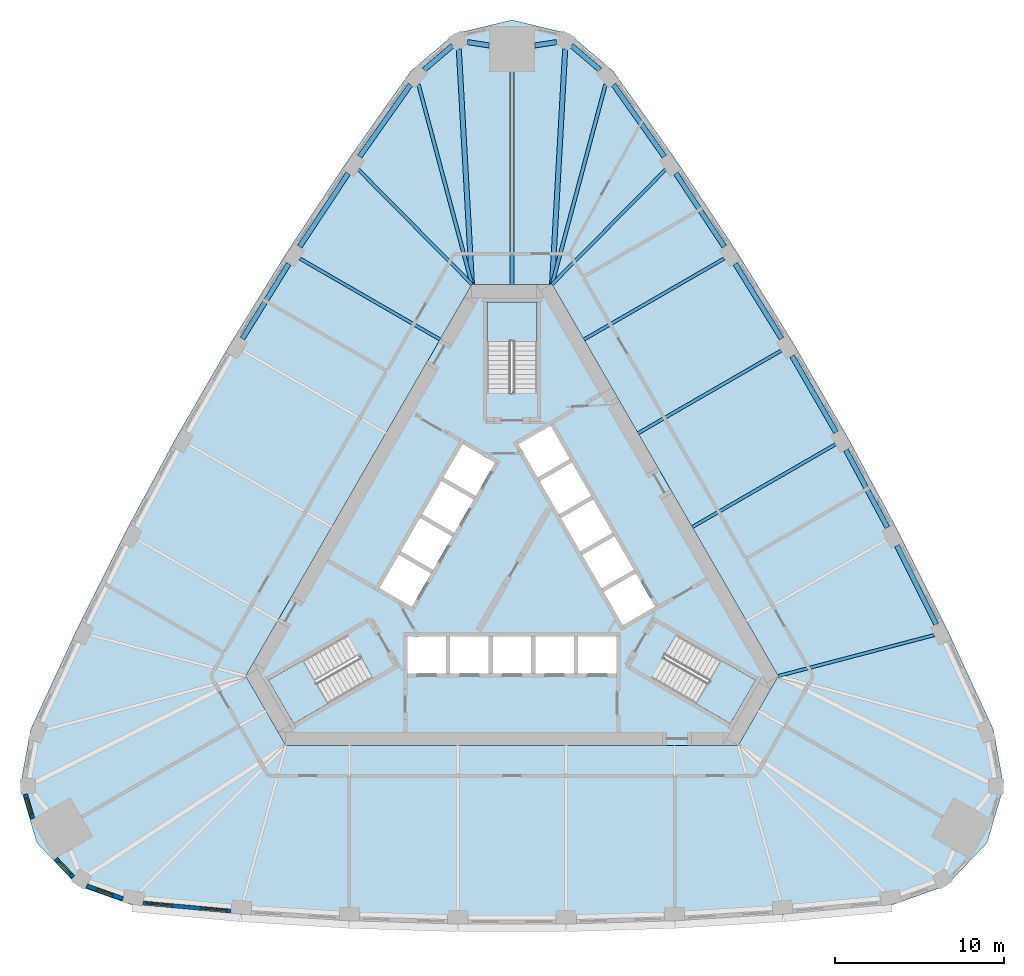
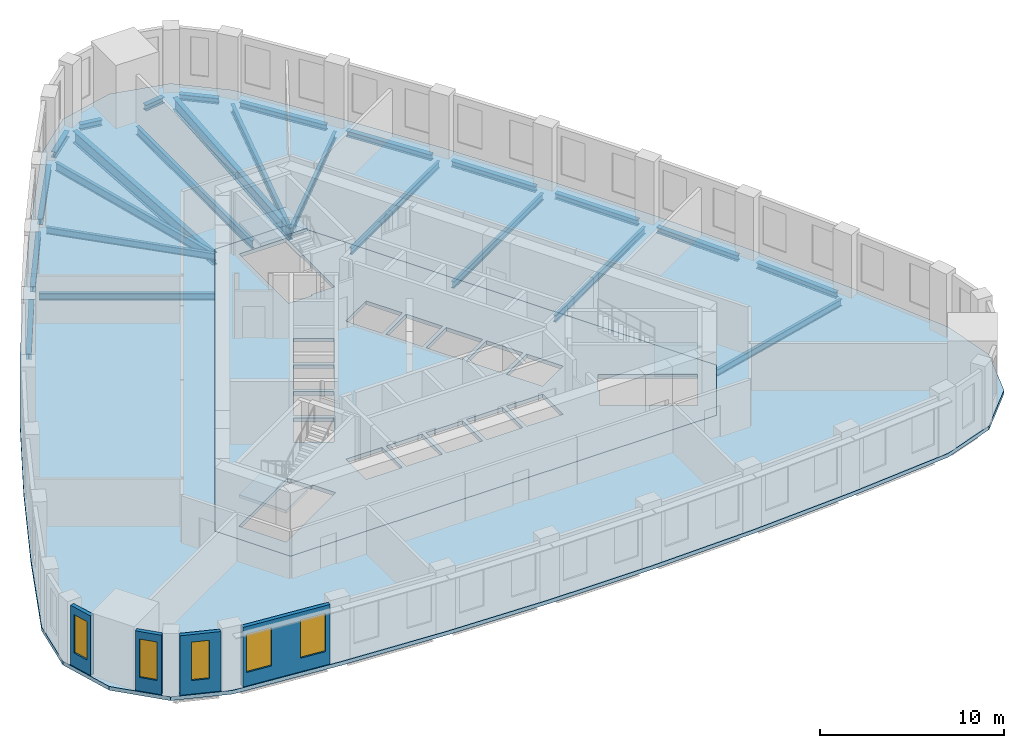
# One storey, part 2 of 9: 25 beams, 5 slabs, 5 windows, 4 walls, 5 openings, 3 elements without a shape of their own.
"""IFC4 building model written with IfcOpenShell, lengths in metres."""

from ifc_helpers import new_model, si_unit, direction, frame, frame_2d, origin, origin_2d, place, context, subcontext, project, spatial, polyline, rectangle, i_section, outline, extrude, material, layer, layer_set, material_profile, profile_set, type_object, element, fill, aggregate, save


model = new_model("IFC4")

# Units and contexts
model_context = context("Model", 3, precision=1e-05, world=origin(), true_north=direction((0.0, 1.0)))
body_context = subcontext(model_context, "Body", "Model", "MODEL_VIEW")
ifc_project = project(units=[si_unit("LENGTHUNIT", "METRE"), si_unit("AREAUNIT", "SQUARE_METRE"), si_unit("VOLUMEUNIT", "CUBIC_METRE"), si_unit("PLANEANGLEUNIT", "RADIAN"), si_unit("MASSUNIT", "GRAM", prefix="KILO")], contexts=[model_context])

# Site, building, storey
site_placement = place(None, origin())
site = spatial("IfcSite", under=ifc_project, at=site_placement, CompositionType="ELEMENT")
building_placement = place(site_placement, origin())
building = spatial("IfcBuilding", under=site, at=building_placement, Name="Mestral Congress Tower", CompositionType="ELEMENT")
storey_placement = place(building_placement, frame((0.0, 0.0, 179.39990234375)))
storey = spatial("IfcBuildingStorey", under=building, at=storey_placement, Name="L42", CompositionType="ELEMENT", Elevation=179.39990234375)

# Beams
ifc_material_1 = material(Name="Steel S355", Category="steel")
ifc_material_profile_1 = material_profile(ifc_material_1, i_section(OverallWidth=0.300048828125, OverallDepth=0.800048828125, WebThickness=0.017578125, FlangeThickness=0.032958984375, FilletRadius=0.030029296875, at=origin_2d()), Name="HEB 800")
ifc_profile_set_1 = profile_set([ifc_material_profile_1], Name="Steel S355")
beam_type_1 = type_object("IfcBeamType", Name="Floor beam HEB 800 S355", PredefinedType="BEAM", material=ifc_profile_set_1)
for number, where, z_axis, x_axis, name in (
    (1, (3.143798828125, 30.703857421875, -0.64990234375), (-0.055769084972, -0.998443693536, 0.0), (0.998443693536, -0.055769084972, 0.0), "BM-L42-RB3-N1"),
    (2, (-3.143798828125, 30.703857421875, -0.64990234375), (0.055769084972, -0.998443693536, 0.0), (0.998443693536, 0.055769084972, 0.0), "BM-L42-RB3-N3"),
):
    element("IfcBeam", number, at=place(storey_placement, frame(where, z_axis=z_axis, x_axis=x_axis)), inside=storey, type_object=beam_type_1, Name=name, PredefinedType="BEAM", context=body_context, shape_type="SweptSolid", body=[
        extrude(i_section(OverallWidth=0.300048828125, OverallDepth=0.800048828125, WebThickness=0.017578125, FlangeThickness=0.032958984375, FilletRadius=0.030029296875, at=origin_2d()), origin(), (0.0, 0.0, 1.0), 13.925537109375),
    ])
ifc_material_profile_2 = material_profile(ifc_material_1, i_section(OverallWidth=0.18994140625, OverallDepth=0.449951171875, WebThickness=0.009521484375, FlangeThickness=0.0146484375, FilletRadius=0.02099609375, at=origin_2d()), Name="IPE 450")
ifc_profile_set_2 = profile_set([ifc_material_profile_2], Name="Steel S355")
beam_type_2 = type_object("IfcBeamType", Name="Floor beam IPE 450 S355", PredefinedType="BEAM", material=ifc_profile_set_2)
beam_1_placement = place(storey_placement, frame((24.938232421875, -3.93505859375, -0.474853515625), z_axis=(-0.967265999603, -0.253764627187, 0.0), x_axis=(0.253764627187, -0.967265999603, 0.0)))
element("IfcBeam", 3, at=beam_1_placement, inside=storey, type_object=beam_type_2, Name="BM-L42-RB3-E01", PredefinedType="BEAM", context=body_context, shape_type="SweptSolid", body=[
    extrude(i_section(OverallWidth=0.18994140625, OverallDepth=0.449951171875, WebThickness=0.009521484375, FlangeThickness=0.0146484375, FilletRadius=0.02099609375, at=origin_2d()), origin(), (0.0, 0.0, 1.0), 9.516845703125),
])
beam_2_placement = place(storey_placement, frame((19.100830078125, 7.332763671875, -0.474853515625), z_axis=(-0.866036015824, -0.499981618958, 0.0), x_axis=(0.499981618958, -0.866036015824, 0.0)))
element("IfcBeam", 4, at=beam_2_placement, inside=storey, type_object=beam_type_2, Name="BM-L42-RB3-E03", PredefinedType="BEAM", context=body_context, shape_type="SweptSolid", body=[
    extrude(i_section(OverallWidth=0.18994140625, OverallDepth=0.449951171875, WebThickness=0.009521484375, FlangeThickness=0.0146484375, FilletRadius=0.02099609375, at=origin_2d()), origin(), (0.0, 0.0, 1.0), 9.758056640625),
])
beam_3_placement = place(storey_placement, frame((15.90087890625, 12.875244140625, -0.474853515625), z_axis=(-0.866025182435, -0.500000383388, 0.0), x_axis=(0.500000383388, -0.866025182435, 0.0)))
element("IfcBeam", 5, at=beam_3_placement, inside=storey, type_object=beam_type_2, Name="BM-L42-RB3-E04", PredefinedType="BEAM", context=body_context, shape_type="SweptSolid", body=[
    extrude(i_section(OverallWidth=0.18994140625, OverallDepth=0.449951171875, WebThickness=0.009521484375, FlangeThickness=0.0146484375, FilletRadius=0.02099609375, at=origin_2d()), origin(), (0.0, 0.0, 1.0), 9.75830078125),
])
beam_4_placement = place(storey_placement, frame((12.532958984375, 18.317138671875, -0.474853515625), z_axis=(-0.866022320763, -0.500005339912, 0.0), x_axis=(0.500005339912, -0.866022320763, 0.0)))
element("IfcBeam", 6, at=beam_4_placement, inside=storey, type_object=beam_type_2, Name="BM-L42-RB3-E05", PredefinedType="BEAM", context=body_context, shape_type="SweptSolid", body=[
    extrude(i_section(OverallWidth=0.18994140625, OverallDepth=0.449951171875, WebThickness=0.009521484375, FlangeThickness=0.0146484375, FilletRadius=0.02099609375, at=origin_2d()), origin(), (0.0, 0.0, 1.0), 9.5625),
])
for number, where, z_axis, x_axis, name in (
    (7, (9.06103515625, 23.564697265625, -0.474853515625), (-0.703377189025, -0.710816804781, 0.0), (0.710816804781, -0.703377189025, 0.0), "BM-L42-RB3-E06"),
    (8, (-9.06103515625, 23.564697265625, -0.474853515625), (0.703377189025, -0.710816804781, 0.0), (0.710816804781, 0.703377189025, 0.0), "BM-L42-RB3-W01"),
):
    element("IfcBeam", number, at=place(storey_placement, frame(where, z_axis=z_axis, x_axis=x_axis)), inside=storey, type_object=beam_type_2, Name=name, PredefinedType="BEAM", context=body_context, shape_type="SweptSolid", body=[
        extrude(i_section(OverallWidth=0.18994140625, OverallDepth=0.449951171875, WebThickness=0.009521484375, FlangeThickness=0.0146484375, FilletRadius=0.02099609375, at=origin_2d()), origin(), (0.0, 0.0, 1.0), 9.516845703125),
    ])
beam_5_placement = place(storey_placement, frame((-12.532958984375, 18.317138671875, -0.474853515625), z_axis=(0.866022320763, -0.500005339912, 0.0), x_axis=(0.500005339912, 0.866022320763, 0.0)))
element("IfcBeam", 9, at=beam_5_placement, inside=storey, type_object=beam_type_2, Name="BM-L42-RB3-W02", PredefinedType="BEAM", context=body_context, shape_type="SweptSolid", body=[
    extrude(i_section(OverallWidth=0.18994140625, OverallDepth=0.449951171875, WebThickness=0.009521484375, FlangeThickness=0.0146484375, FilletRadius=0.02099609375, at=origin_2d()), origin(), (0.0, 0.0, 1.0), 9.5625),
])
ifc_material_profile_3 = material_profile(ifc_material_1, i_section(OverallWidth=0.2099609375, OverallDepth=0.550048828125, WebThickness=0.010986328125, FlangeThickness=0.01708984375, FilletRadius=0.02392578125, at=origin_2d()), Name="IPE 550")
ifc_profile_set_3 = profile_set([ifc_material_profile_3], Name="Steel S355")
beam_type_3 = type_object("IfcBeamType", Name="Floor beam IPE 550 S355", PredefinedType="BEAM", material=ifc_profile_set_3)
beam_6_placement = place(storey_placement, frame((5.5283203125, 28.609375, -0.52490234375), z_axis=(-0.258577363905, -0.965990552167, 0.0), x_axis=(0.965990552167, -0.258577363905, 0.0)))
element("IfcBeam", 10, at=beam_6_placement, inside=storey, type_object=beam_type_3, Name="BM-L42-RB3-E07", PredefinedType="BEAM", context=body_context, shape_type="SweptSolid", body=[
    extrude(i_section(OverallWidth=0.2099609375, OverallDepth=0.550048828125, WebThickness=0.010986328125, FlangeThickness=0.01708984375, FilletRadius=0.02392578125, at=origin_2d()), origin(), (0.0, 0.0, 1.0), 12.22509765625),
])
beam_7_placement = place(storey_placement, frame((0.0, 29.354248046875, -0.52490234375), z_axis=(0.0, -1.0, 0.0), x_axis=(1.0, 0.0, 0.0)))
element("IfcBeam", 11, at=beam_7_placement, inside=storey, type_object=beam_type_3, Name="BM-L42-RB3-N", PredefinedType="BEAM", context=body_context, shape_type="SweptSolid", body=[
    extrude(i_section(OverallWidth=0.2099609375, OverallDepth=0.550048828125, WebThickness=0.010986328125, FlangeThickness=0.01708984375, FilletRadius=0.02392578125, at=origin_2d()), origin(), (0.0, 0.0, 1.0), 12.55419921875),
])
beam_8_placement = place(storey_placement, frame((-5.5283203125, 28.609375, -0.52490234375), z_axis=(0.258577363905, -0.965990552167, 0.0), x_axis=(0.965990552167, 0.258577363905, 0.0)))
element("IfcBeam", 12, at=beam_8_placement, inside=storey, type_object=beam_type_3, Name="BM-L42-RB3-W00", PredefinedType="BEAM", context=body_context, shape_type="SweptSolid", body=[
    extrude(i_section(OverallWidth=0.2099609375, OverallDepth=0.550048828125, WebThickness=0.010986328125, FlangeThickness=0.01708984375, FilletRadius=0.02392578125, at=origin_2d()), origin(), (0.0, 0.0, 1.0), 12.22509765625),
])
ifc_material_profile_4 = material_profile(ifc_material_1, i_section(OverallWidth=0.300048828125, OverallDepth=0.389892578125, WebThickness=0.010986328125, FlangeThickness=0.01904296875, FilletRadius=0.027099609375, at=origin_2d()), Name="HEA 400")
ifc_profile_set_4 = profile_set([ifc_material_profile_4], Name="Steel S355")
beam_type_4 = type_object("IfcBeamType", Name="Spandrel beam HEA 400 S355", PredefinedType="BEAM", material=ifc_profile_set_4)
beam_9_placement = place(storey_placement, frame((25.064453125, -3.294677734375, -0.44482421875), z_axis=(-0.446255467462, 0.894905613884, 0.0), x_axis=(-0.894905613884, -0.446255467462, 0.0)))
element("IfcBeam", 13, at=beam_9_placement, inside=storey, type_object=beam_type_4, Name="SP-L42-SB3-E01", PredefinedType="BEAM", context=body_context, shape_type="SweptSolid", body=[
    extrude(i_section(OverallWidth=0.300048828125, OverallDepth=0.389892578125, WebThickness=0.010986328125, FlangeThickness=0.01904296875, FilletRadius=0.027099609375, at=origin_2d()), origin(), (0.0, 0.0, 1.0), 5.199462890625),
])
for number, where, z_axis, x_axis, name in (
    (14, (22.1923828125, 2.424072265625, -0.44482421875), (-0.473332458078, 0.880883865291, 0.0), (-0.880883865291, -0.473332458078, 0.0), "SP-L42-SB3-E02"),
    (15, (19.147216796875, 8.052490234375, -0.44482421875), (-0.499992051641, 0.866029992723, 0.0), (-0.866029992723, -0.499992051641, 0.0), "SP-L42-SB3-E03"),
):
    element("IfcBeam", number, at=place(storey_placement, frame(where, z_axis=z_axis, x_axis=x_axis)), inside=storey, type_object=beam_type_4, Name=name, PredefinedType="BEAM", context=body_context, shape_type="SweptSolid", body=[
        extrude(i_section(OverallWidth=0.300048828125, OverallDepth=0.389892578125, WebThickness=0.010986328125, FlangeThickness=0.01904296875, FilletRadius=0.027099609375, at=origin_2d()), origin(), (0.0, 0.0, 1.0), 5.19970703125),
    ])
for number, where, z_axis, x_axis, name in (
    (16, (15.931640625, 13.585693359375, -0.44482421875), (-0.526220441006, 0.8503481919, 0.0), (-0.8503481919, -0.526220441006, 0.0), "SP-L42-SB3-E04"),
    (17, (12.548583984375, 19.017822265625, -0.44482421875), (-0.551901475275, 0.833909324561, 0.0), (-0.833909324561, -0.551901475275, 0.0), "SP-L42-SB3-E05"),
):
    element("IfcBeam", number, at=place(storey_placement, frame(where, z_axis=z_axis, x_axis=x_axis)), inside=storey, type_object=beam_type_4, Name=name, PredefinedType="BEAM", context=body_context, shape_type="SweptSolid", body=[
        extrude(i_section(OverallWidth=0.300048828125, OverallDepth=0.389892578125, WebThickness=0.010986328125, FlangeThickness=0.01904296875, FilletRadius=0.027099609375, at=origin_2d()), origin(), (0.0, 0.0, 1.0), 5.199462890625),
    ])
beam_10_placement = place(storey_placement, frame((9.00146484375, 24.34423828125, -0.44482421875), z_axis=(-0.577107284947, 0.816668342512, 0.0), x_axis=(-0.816668342512, -0.577107284947, 0.0)))
element("IfcBeam", 18, at=beam_10_placement, inside=storey, type_object=beam_type_4, Name="SP-L42-SB3-E06", PredefinedType="BEAM", context=body_context, shape_type="SweptSolid", body=[
    extrude(i_section(OverallWidth=0.300048828125, OverallDepth=0.389892578125, WebThickness=0.010986328125, FlangeThickness=0.01904296875, FilletRadius=0.027099609375, at=origin_2d()), origin(), (0.0, 0.0, 1.0), 5.197509765625),
])
beam_11_placement = place(storey_placement, frame((5.191162109375, 29.47509765625, -0.44482421875), z_axis=(-0.761471479234, 0.648198415852, 0.0), x_axis=(-0.648198415852, -0.761471479234, 0.0)))
element("IfcBeam", 19, at=beam_11_placement, inside=storey, type_object=beam_type_4, Name="SP-L42-SB3-E07", PredefinedType="BEAM", context=body_context, shape_type="SweptSolid", body=[
    extrude(i_section(OverallWidth=0.300048828125, OverallDepth=0.389892578125, WebThickness=0.010986328125, FlangeThickness=0.01904296875, FilletRadius=0.027099609375, at=origin_2d()), origin(), (0.0, 0.0, 1.0), 2.189697265625),
])
for number, where, z_axis, x_axis, name in (
    (20, (2.62353515625, 31.10986328125, -0.44482421875), (-0.988242111203, -0.152897121116, 0.0), (0.152897121116, -0.988242111203, 0.0), "SP-L42-SB3-N1"),
    (21, (-1.35009765625, 30.912841796875, -0.44482421875), (-0.988242111203, 0.152897121116, 0.0), (-0.152897121116, -0.988242111203, 0.0), "SP-L42-SB3-N"),
):
    element("IfcBeam", number, at=place(storey_placement, frame(where, z_axis=z_axis, x_axis=x_axis)), inside=storey, type_object=beam_type_4, Name=name, PredefinedType="BEAM", context=body_context, shape_type="SweptSolid", body=[
        extrude(i_section(OverallWidth=0.300048828125, OverallDepth=0.389892578125, WebThickness=0.010986328125, FlangeThickness=0.01904296875, FilletRadius=0.027099609375, at=origin_2d()), origin(), (0.0, 0.0, 1.0), 1.28857421875),
    ])
beam_12_placement = place(storey_placement, frame((-3.523681640625, 30.89453125, -0.44482421875), z_axis=(-0.761471479234, -0.648198415852, 0.0), x_axis=(0.648198415852, -0.761471479234, 0.0)))
element("IfcBeam", 22, at=beam_12_placement, inside=storey, type_object=beam_type_4, Name="SP-L42-SB3-N3", PredefinedType="BEAM", context=body_context, shape_type="SweptSolid", body=[
    extrude(i_section(OverallWidth=0.300048828125, OverallDepth=0.389892578125, WebThickness=0.010986328125, FlangeThickness=0.01904296875, FilletRadius=0.027099609375, at=origin_2d()), origin(), (0.0, 0.0, 1.0), 2.189697265625),
])
beam_13_placement = place(storey_placement, frame((-6.001953125, 28.5888671875, -0.44482421875), z_axis=(-0.577107284947, -0.816668342512, 0.0), x_axis=(0.816668342512, -0.577107284947, 0.0)))
element("IfcBeam", 23, at=beam_13_placement, inside=storey, type_object=beam_type_4, Name="SP-L42-SB3-W00", PredefinedType="BEAM", context=body_context, shape_type="SweptSolid", body=[
    extrude(i_section(OverallWidth=0.300048828125, OverallDepth=0.389892578125, WebThickness=0.010986328125, FlangeThickness=0.01904296875, FilletRadius=0.027099609375, at=origin_2d()), origin(), (0.0, 0.0, 1.0), 5.197509765625),
])
for number, where, z_axis, x_axis, name in (
    (24, (-9.678955078125, 23.353759765625, -0.44482421875), (-0.551901475275, -0.833909324561, 0.0), (0.833909324561, -0.551901475275, 0.0), "SP-L42-SB3-W01"),
    (25, (-13.195556640625, 18.007080078125, -0.44482421875), (-0.526220441006, -0.8503481919, 0.0), (0.8503481919, -0.526220441006, 0.0), "SP-L42-SB3-W02"),
):
    element("IfcBeam", number, at=place(storey_placement, frame(where, z_axis=z_axis, x_axis=x_axis)), inside=storey, type_object=beam_type_4, Name=name, PredefinedType="BEAM", context=body_context, shape_type="SweptSolid", body=[
        extrude(i_section(OverallWidth=0.300048828125, OverallDepth=0.389892578125, WebThickness=0.010986328125, FlangeThickness=0.01904296875, FilletRadius=0.027099609375, at=origin_2d()), origin(), (0.0, 0.0, 1.0), 5.199462890625),
    ])

# Slabs
ifc_material_2 = material(Name="Concrete C35/45", Category="concrete")
ifc_layer_1 = layer(ifc_material_2, 0.25)
ifc_layer_set_1 = layer_set([ifc_layer_1], Name="Concrete C35/45")
slab_type_1 = type_object("IfcSlabType", Name="Composite floor slab 250", PredefinedType="FLOOR", material=ifc_layer_set_1)
placement_1 = place(storey_placement, frame((0.0, 0.0, -0.25)))
element("IfcSlab", 26, at=placement_1, inside=storey, type_object=slab_type_1, Name="SL-L42", PredefinedType="FLOOR", context=body_context, shape_type="SweptSolid", body=[
    extrude(outline(polyline([(-22.455078125, -19.880126953125), (-25.68212890625, -18.731689453125), (-28.073974609375, -16.20849609375), (-29.06298828125, -12.87548828125), (-28.444091796875, -9.506591796875), (-25.73779296875, -3.63720703125), (-22.8759765625, 2.1025390625), (-19.84033203125, 7.751953125), (-16.633544921875, 13.30615234375), (-13.2587890625, 18.760009765625), (-9.71923828125, 24.1083984375), (-5.9892578125, 29.38671875), (-3.381103515625, 31.607177734375), (0.0, 32.4169921875), (3.381103515625, 31.607177734375), (5.9892578125, 29.38671875), (9.71923828125, 24.1083984375), (13.2587890625, 18.760009765625), (16.633544921875, 13.30615234375), (19.84033203125, 7.751953125), (22.8759765625, 2.1025390625), (25.73779296875, -3.63720703125), (28.444091796875, -9.506591796875), (29.06298828125, -12.87548828125), (28.073974609375, -16.20849609375), (25.68212890625, -18.731689453125), (22.455078125, -19.880126953125), (16.018798828125, -20.47119140625), (9.6171875, -20.862548828125), (3.206787109375, -21.05810546875), (-3.206787109375, -21.05810546875), (-9.6171875, -20.862548828125), (-16.018798828125, -20.47119140625), (-22.455078125, -19.880126953125)]), holes=[polyline([(-2.3671875, 16.800048828125), (-15.73291015625, -6.35009765625), (-13.36572265625, -10.449951171875), (13.36572265625, -10.449951171875), (15.73291015625, -6.35009765625), (2.3671875, 16.800048828125), (-2.3671875, 16.800048828125)])]), origin(), (0.0, 0.0, 1.0), 0.25),
])
ifc_material_3 = material(Name="Concrete C60/75", Category="concrete")
ifc_layer_2 = layer(ifc_material_3, 0.25)
ifc_layer_set_2 = layer_set([ifc_layer_2], Name="Concrete C60/75")
slab_type_2 = type_object("IfcSlabType", Name="Core floor slab RC 250", PredefinedType="FLOOR", material=ifc_layer_set_2)
element("IfcSlab", 27, at=placement_1, inside=storey, type_object=slab_type_2, Name="L42 core floor", PredefinedType="FLOOR", context=body_context, shape_type="SweptSolid", body=[
    extrude(outline(polyline([(13.36572265625, -10.449951171875), (-13.36572265625, -10.449951171875), (-15.73291015625, -6.35009765625), (-2.3671875, 16.800048828125), (2.3671875, 16.800048828125), (15.73291015625, -6.35009765625), (13.36572265625, -10.449951171875)]), holes=[polyline([(-9.8046875, -3.95751953125), (-14.37744140625, -6.59765625), (-12.90234375, -9.15234375), (-8.234619140625, -6.45751953125), (-8.971923828125, -5.179931640625), (-9.0673828125, -5.235107421875), (-9.8046875, -3.95751953125)]), polyline([(-3.905029296875, -4.0), (-6.175048828125, -4.0), (-6.175048828125, -6.199951171875), (-3.905029296875, -6.199951171875), (-3.905029296875, -4.0)]), polyline([(-1.385009765625, -4.0), (-3.655029296875, -4.0), (-3.655029296875, -6.199951171875), (-1.385009765625, -6.199951171875), (-1.385009765625, -4.0)]), polyline([(1.135009765625, -4.0), (-1.135009765625, -4.0), (-1.135009765625, -6.199951171875), (1.135009765625, -6.199951171875), (1.135009765625, -4.0)]), polyline([(-5.921630859375, -2.256591796875), (-4.78662109375, -0.29052734375), (-6.69189453125, 0.809326171875), (-7.826904296875, -1.156494140625), (-5.921630859375, -2.256591796875)]), polyline([(-4.66162109375, -0.07421875), (-3.526611328125, 1.8916015625), (-5.431884765625, 2.99169921875), (-6.56689453125, 1.02587890625), (-4.66162109375, -0.07421875)]), polyline([(-3.401611328125, 2.1083984375), (-2.2666015625, 4.07421875), (-4.171875, 5.174072265625), (-5.306884765625, 3.208251953125), (-3.401611328125, 2.1083984375)]), polyline([(-2.1416015625, 4.29052734375), (-1.006591796875, 6.256591796875), (-2.911865234375, 7.3564453125), (-4.046875, 5.390625), (-2.1416015625, 4.29052734375)]), polyline([(1.47509765625, 10.469970703125), (1.47509765625, 15.75), (-1.47509765625, 15.75), (-1.47509765625, 10.360107421875), (0.0, 10.360107421875), (0.0, 10.469970703125), (1.47509765625, 10.469970703125)]), polyline([(8.329833984375, -6.512451171875), (12.90234375, -9.15234375), (14.37744140625, -6.59765625), (9.70947265625, -3.902587890625), (8.971923828125, -5.179931640625), (9.0673828125, -5.235107421875), (8.329833984375, -6.512451171875)]), polyline([(3.655029296875, -4.0), (1.385009765625, -4.0), (1.385009765625, -6.199951171875), (3.655029296875, -6.199951171875), (3.655029296875, -4.0)]), polyline([(6.175048828125, -4.0), (3.905029296875, -4.0), (3.905029296875, -6.199951171875), (6.175048828125, -6.199951171875), (6.175048828125, -4.0)]), polyline([(5.41650390625, -1.3818359375), (6.551513671875, -3.34765625), (8.456787109375, -2.247802734375), (7.322021484375, -0.28173828125), (5.41650390625, -1.3818359375)]), polyline([(4.156494140625, 0.800537109375), (5.29150390625, -1.165283203125), (7.197021484375, -0.065185546875), (6.06201171875, 1.900634765625), (4.156494140625, 0.800537109375)]), polyline([(2.896484375, 2.98291015625), (4.031494140625, 1.01708984375), (5.93701171875, 2.1171875), (4.802001953125, 4.0830078125), (2.896484375, 2.98291015625)]), polyline([(3.5419921875, 6.265380859375), (1.63671875, 5.165283203125), (2.771484375, 3.199462890625), (4.677001953125, 4.29931640625), (3.5419921875, 6.265380859375)]), polyline([(2.281982421875, 8.44775390625), (0.376708984375, 7.34765625), (1.51171875, 5.3818359375), (3.4169921875, 6.481689453125), (2.281982421875, 8.44775390625)])]), origin(), (0.0, 0.0, 1.0), 0.25),
])

# Stair, slab
stair_type = type_object("IfcStairType", Name="Exit stair 1400", PredefinedType="HALF_TURN_STAIR", material=ifc_material_3)
placement_2 = place(storey_placement, origin())
stair_1 = element("IfcStair", 28, at=placement_2, inside=storey, type_object=stair_type, Name="L42 ST1", PredefinedType="HALF_TURN_STAIR")
ifc_layer_3 = layer(ifc_material_3, 0.199951171875)
ifc_layer_set_3 = layer_set([ifc_layer_3], Name="Concrete C60/75")
slab_type_3 = type_object("IfcSlabType", Name="Exit stair landing 200", PredefinedType="LANDING", material=ifc_layer_set_3)
placement_3 = place(storey_placement, frame((0.0, 0.0, 1.900146484375)))
slab_3 = element("IfcSlab", 29, at=placement_3, type_object=slab_type_3, Name="ST1 landing 1", PredefinedType="LANDING", context=body_context, shape_type="SweptSolid", body=[
    extrude(outline(polyline([(10.879638671875, -7.99609375), (12.364501953125, -5.424072265625), (14.39111328125, -6.593994140625), (12.906005859375, -9.166015625), (10.879638671875, -7.99609375)])), origin(), (0.0, 0.0, 1.0), 0.199951171875),
])
aggregate(stair_1, [slab_3])

stair_2 = element("IfcStair", 30, at=placement_2, inside=storey, type_object=stair_type, Name="L42 ST2", PredefinedType="HALF_TURN_STAIR")
slab_4 = element("IfcSlab", 31, at=placement_3, type_object=slab_type_3, Name="ST2 landing 1", PredefinedType="LANDING", context=body_context, shape_type="SweptSolid", body=[
    extrude(outline(polyline([(1.485107421875, 13.419921875), (-1.485107421875, 13.419921875), (-1.485107421875, 15.760009765625), (1.485107421875, 15.760009765625), (1.485107421875, 13.419921875)])), origin(), (0.0, 0.0, 1.0), 0.199951171875),
])
aggregate(stair_2, [slab_4])

stair_3 = element("IfcStair", 32, at=placement_2, inside=storey, type_object=stair_type, Name="L42 ST3", PredefinedType="HALF_TURN_STAIR")
slab_5 = element("IfcSlab", 33, at=placement_3, type_object=slab_type_3, Name="ST3 landing 1", PredefinedType="LANDING", context=body_context, shape_type="SweptSolid", body=[
    extrude(outline(polyline([(-12.364501953125, -5.424072265625), (-10.879638671875, -7.99609375), (-12.906005859375, -9.166015625), (-14.39111328125, -6.593994140625), (-12.364501953125, -5.424072265625)])), origin(), (0.0, 0.0, 1.0), 0.199951171875),
])
aggregate(stair_3, [slab_5])

# Wall, openings, windows
ifc_material_4 = material(Name="Precast concrete C40/50 with limestone facing", Category="masonry")
ifc_layer_4 = layer(ifc_material_4, 0.239990234375)
ifc_layer_set_4 = layer_set([ifc_layer_4], Name="Precast concrete C40/50 with limestone facing")
wall_type = type_object("IfcWallType", Name="Facade stone wall 240", PredefinedType="SOLIDWALL", material=ifc_layer_set_4)
wall_1_placement = place(storey_placement, frame((-21.797119140625, -19.769775390625, 0.0), z_axis=(0.0, 0.0, 1.0), x_axis=(0.995808712151, -0.091460422067, 0.0)))
wall_1 = element("IfcWall", 34, at=wall_1_placement, inside=storey, type_object=wall_type, Name="Facade wall F0-00", PredefinedType="SOLIDWALL", context=body_context, shape_type="SweptSolid", body=[
    extrude(rectangle(XDim=5.213134765625, YDim=0.239990234375, at=frame_2d((2.6064453125, 0.0))), origin(), (0.0, 0.0, 1.0), 3.9501953125),
])
opening_1_placement = place(wall_1_placement, frame((0.220947265625, 0.0, 0.89990234375)))
opening_1 = element("IfcOpeningElement", 35, at=opening_1_placement, cuts=wall_1, Name="Opening W4", PredefinedType="OPENING", context=body_context, shape_type="SweptSolid", body=[
    extrude(rectangle(XDim=1.5, YDim=2.550048828125, at=frame_2d((0.75, 1.27490234375))), frame((0.0, 0.1298828125, 0.0), z_axis=(0.0, -1.0, 0.0), x_axis=(1.0, 0.0, 0.0)), (0.0, 0.0, 1.0), 0.260009765625),
])
opening_2_placement = place(wall_1_placement, frame((3.452392578125, 0.0, 0.89990234375)))
opening_2 = element("IfcOpeningElement", 36, at=opening_2_placement, cuts=wall_1, Name="Opening W4", PredefinedType="OPENING", context=body_context, shape_type="SweptSolid", body=[
    extrude(rectangle(XDim=1.5, YDim=2.550048828125, at=frame_2d((0.75, 1.27490234375))), frame((0.0, 0.1298828125, 0.0), z_axis=(0.0, -1.0, 0.0), x_axis=(1.0, 0.0, 0.0)), (0.0, 0.0, 1.0), 0.260009765625),
])
ifc_material_5 = material(Name="Clear low-emissivity double glazing", Category="glass")
window_type_1 = type_object("IfcWindowType", Name="Facade punched window 1500 x 2550 sill 900", PartitioningType="SINGLE_PANEL", PredefinedType="WINDOW", material=ifc_material_5)
window_1_placement = place(opening_1_placement, origin())
window_1 = element("IfcWindow", 37, at=window_1_placement, inside=storey, type_object=window_type_1, Name="Window F0-00a", OverallHeight=2.550048828125, OverallWidth=1.5, PartitioningType="SINGLE_PANEL", PredefinedType="WINDOW", context=body_context, shape_type="SweptSolid", body=[
    extrude(rectangle(XDim=1.5, YDim=2.550048828125, at=frame_2d((0.75, 1.27490234375))), frame((0.0, 0.0400390625, 0.0), z_axis=(0.0, -1.0, 0.0), x_axis=(1.0, 0.0, 0.0)), (0.0, 0.0, 1.0), 0.06005859375),
])
fill(opening_1, window_1)
window_2_placement = place(opening_2_placement, origin())
window_2 = element("IfcWindow", 38, at=window_2_placement, inside=storey, type_object=window_type_1, Name="Window F0-00b", OverallHeight=2.550048828125, OverallWidth=1.5, PartitioningType="SINGLE_PANEL", PredefinedType="WINDOW", context=body_context, shape_type="SweptSolid", body=[
    extrude(rectangle(XDim=1.5, YDim=2.550048828125, at=frame_2d((0.75, 1.27490234375))), frame((0.0, 0.0400390625, 0.0), z_axis=(0.0, -1.0, 0.0), x_axis=(1.0, 0.0, 0.0)), (0.0, 0.0, 1.0), 0.06005859375),
])
fill(opening_2, window_2)

# Wall, opening, window
wall_2_placement = place(storey_placement, frame((-28.747802734375, -13.340087890625, 0.0), z_axis=(0.0, 0.0, 1.0), x_axis=(0.284413721403, -0.958701640281, 0.0)))
wall_2 = element("IfcWall", 39, at=wall_2_placement, inside=storey, type_object=wall_type, Name="Facade wall K2-1", PredefinedType="SOLIDWALL", context=body_context, shape_type="SweptSolid", body=[
    extrude(rectangle(XDim=1.481689453125, YDim=0.239990234375, at=frame_2d((0.74072265625, 0.0))), origin(), (0.0, 0.0, 1.0), 3.9501953125),
])
opening_3_placement = place(wall_2_placement, frame((0.24072265625, 0.0, 0.89990234375)))
opening_3 = element("IfcOpeningElement", 40, at=opening_3_placement, cuts=wall_2, Name="Opening W5", PredefinedType="OPENING", context=body_context, shape_type="SweptSolid", body=[
    extrude(rectangle(XDim=1.0, YDim=2.550048828125, at=frame_2d((0.5, 1.27490234375))), frame((0.0, 0.1298828125, 0.0), z_axis=(0.0, -1.0, 0.0), x_axis=(1.0, 0.0, 0.0)), (0.0, 0.0, 1.0), 0.260009765625),
])
window_type_2 = type_object("IfcWindowType", Name="Facade punched window 1000 x 2550 sill 900", PartitioningType="SINGLE_PANEL", PredefinedType="WINDOW", material=ifc_material_5)
window_3_placement = place(opening_3_placement, origin())
window_3 = element("IfcWindow", 41, at=window_3_placement, inside=storey, type_object=window_type_2, Name="Window K2-1", OverallHeight=2.550048828125, OverallWidth=1.0, PartitioningType="SINGLE_PANEL", PredefinedType="WINDOW", context=body_context, shape_type="SweptSolid", body=[
    extrude(rectangle(XDim=1.0, YDim=2.550048828125, at=frame_2d((0.5, 1.27490234375))), frame((0.0, 0.0400390625, 0.0), z_axis=(0.0, -1.0, 0.0), x_axis=(1.0, 0.0, 0.0)), (0.0, 0.0, 1.0), 0.06005859375),
])
fill(opening_3, window_3)

wall_3_placement = place(storey_placement, frame((-26.946044921875, -17.151123046875, 0.0), z_axis=(0.0, 0.0, 1.0), x_axis=(0.687986858937, -0.725723144133, 0.0)))
wall_3 = element("IfcWall", 42, at=wall_3_placement, inside=storey, type_object=wall_type, Name="Facade wall K2-2", PredefinedType="SOLIDWALL", context=body_context, shape_type="SweptSolid", body=[
    extrude(rectangle(XDim=1.4814453125, YDim=0.239990234375, at=frame_2d((0.74072265625, 0.0))), origin(), (0.0, 0.0, 1.0), 3.9501953125),
])
opening_4_placement = place(wall_3_placement, frame((0.24072265625, 0.0, 0.89990234375)))
opening_4 = element("IfcOpeningElement", 43, at=opening_4_placement, cuts=wall_3, Name="Opening W5", PredefinedType="OPENING", context=body_context, shape_type="SweptSolid", body=[
    extrude(rectangle(XDim=1.0, YDim=2.550048828125, at=frame_2d((0.5, 1.27490234375))), frame((0.0, 0.1298828125, 0.0), z_axis=(0.0, -1.0, 0.0), x_axis=(1.0, 0.0, 0.0)), (0.0, 0.0, 1.0), 0.260009765625),
])
window_4_placement = place(opening_4_placement, origin())
window_4 = element("IfcWindow", 44, at=window_4_placement, inside=storey, type_object=window_type_2, Name="Window K2-2", OverallHeight=2.550048828125, OverallWidth=1.0, PartitioningType="SINGLE_PANEL", PredefinedType="WINDOW", context=body_context, shape_type="SweptSolid", body=[
    extrude(rectangle(XDim=1.0, YDim=2.550048828125, at=frame_2d((0.5, 1.27490234375))), frame((0.0, 0.0400390625, 0.0), z_axis=(0.0, -1.0, 0.0), x_axis=(1.0, 0.0, 0.0)), (0.0, 0.0, 1.0), 0.06005859375),
])
fill(opening_4, window_4)

wall_4_placement = place(storey_placement, frame((-25.12109375, -18.750732421875, 0.0), z_axis=(0.0, 0.0, 1.0), x_axis=(0.942099727267, -0.335332825539, 0.0)))
wall_4 = element("IfcWall", 45, at=wall_4_placement, inside=storey, type_object=wall_type, Name="Facade wall K2-3", PredefinedType="SOLIDWALL", context=body_context, shape_type="SweptSolid", body=[
    extrude(rectangle(XDim=2.25048828125, YDim=0.239990234375, at=frame_2d((1.125244140625, 0.0))), origin(), (0.0, 0.0, 1.0), 3.9501953125),
])
opening_5_placement = place(wall_4_placement, frame((0.625244140625, 0.0, 0.89990234375)))
opening_5 = element("IfcOpeningElement", 46, at=opening_5_placement, cuts=wall_4, Name="Opening W5", PredefinedType="OPENING", context=body_context, shape_type="SweptSolid", body=[
    extrude(rectangle(XDim=1.0, YDim=2.550048828125, at=frame_2d((0.5, 1.27490234375))), frame((0.0, 0.1298828125, 0.0), z_axis=(0.0, -1.0, 0.0), x_axis=(1.0, 0.0, 0.0)), (0.0, 0.0, 1.0), 0.260009765625),
])
window_5_placement = place(opening_5_placement, origin())
window_5 = element("IfcWindow", 47, at=window_5_placement, inside=storey, type_object=window_type_2, Name="Window K2-3", OverallHeight=2.550048828125, OverallWidth=1.0, PartitioningType="SINGLE_PANEL", PredefinedType="WINDOW", context=body_context, shape_type="SweptSolid", body=[
    extrude(rectangle(XDim=1.0, YDim=2.550048828125, at=frame_2d((0.5, 1.27490234375))), frame((0.0, 0.0400390625, 0.0), z_axis=(0.0, -1.0, 0.0), x_axis=(1.0, 0.0, 0.0)), (0.0, 0.0, 1.0), 0.06005859375),
])
fill(opening_5, window_5)

save(model, "model.ifc")
